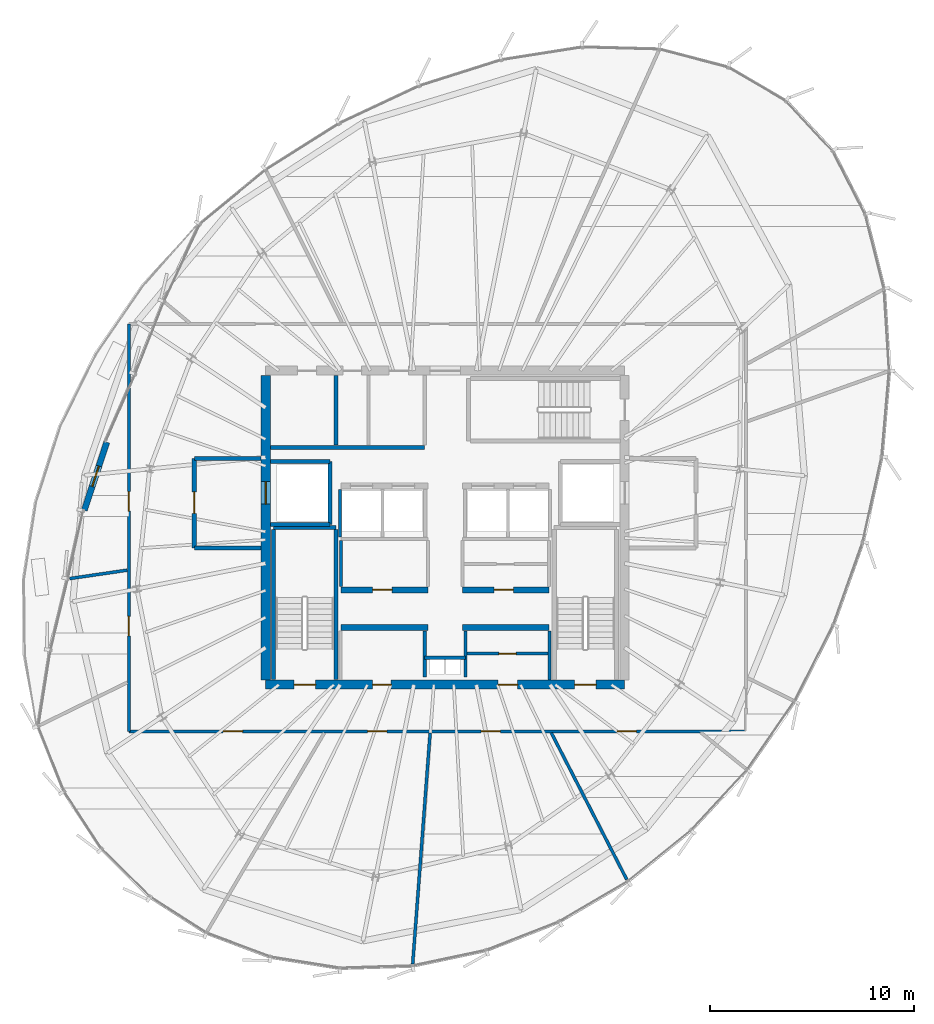
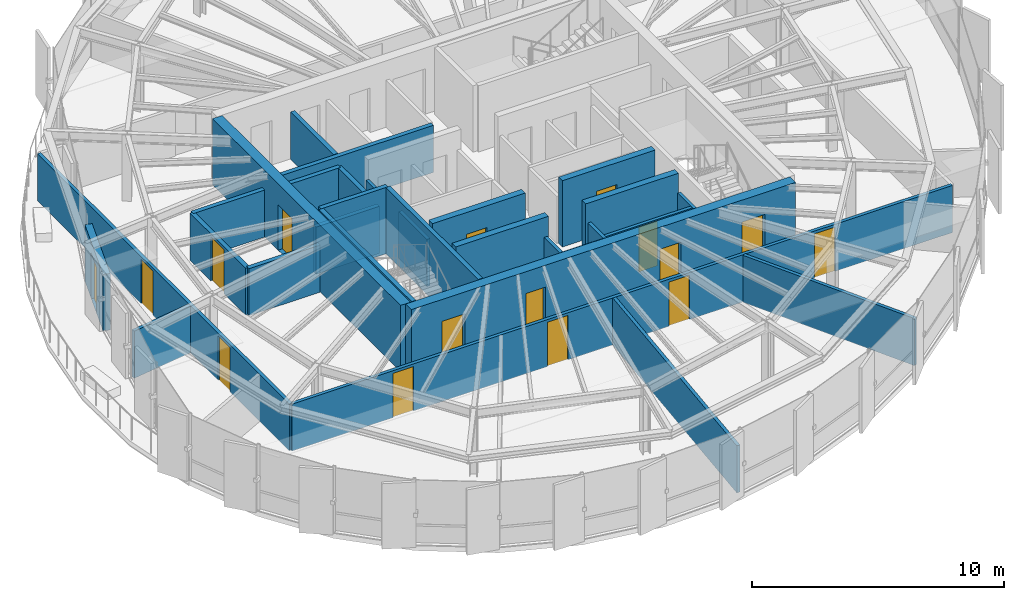
# One storey, part 29 of 36: 30 walls, 16 doors, 16 openings.
"""IFC4 building model written with IfcOpenShell, lengths in metres."""

import ifcopenshell
import ifcopenshell.guid

model = None  # the IFC model being written
_history = None  # IfcOwnerHistory: only IFC2X3 demands one
_inside = {}  # id of a spatial element -> (the spatial element, [elements in it])
_under = {}  # id of a project, library or spatial element -> (it, [spatial elements below it])
_declared = {}  # id of a project -> (the project, [libraries it declares])
_typed = {}  # id of a type object -> (the type object, [elements of that type])
_made_of = {}  # id of a material, layer set ... -> (it, [elements and type objects made of it])


def new_model(schema):
    """Start an empty IFC model of exactly this schema.

    Asked for "IFC4X3", IfcOpenShell would pick the latest addendum, in which some entities
    have other attributes; the version numbers below select the first issue.
    IFC2X3 requires an IfcOwnerHistory on every rooted entity: one is made here for all.
    """
    global model, _history
    if schema == "IFC4X3":
        model = ifcopenshell.file(schema_version=(4, 3, 0, 0))
    else:
        model = ifcopenshell.file(schema=schema)
    _inside.clear()
    _under.clear()
    _declared.clear()
    _typed.clear()
    _made_of.clear()
    _history = None
    if model.schema == "IFC2X3":
        org = make("IfcOrganization", Name="unknown")
        user = make(
            "IfcPersonAndOrganization",
            ThePerson=make("IfcPerson", FamilyName="unknown"),
            TheOrganization=org,
        )
        app = make(
            "IfcApplication",
            ApplicationDeveloper=org,
            Version="unknown",
            ApplicationFullName="unknown",
            ApplicationIdentifier="unknown",
        )
        _history = make(
            "IfcOwnerHistory",
            OwningUser=user,
            OwningApplication=app,
            ChangeAction="ADDED",
            CreationDate=0,
        )
    return model


def make(cls, **values):
    """One entity of the class cls with the attributes given. An attribute that is None is left unset."""
    return model.create_entity(
        cls, **{name: value for name, value in values.items() if value is not None}
    )


def rooted(cls, **values):
    """An entity with a GlobalId (a new one), such as an element, a storey or a relation."""
    return make(cls, GlobalId=ifcopenshell.guid.new(), OwnerHistory=_history, **values)


def si_unit(unit_type, name, prefix=None):
    """IfcSIUnit, for example si_unit("LENGTHUNIT", "METRE", prefix="MILLI")."""
    return make("IfcSIUnit", UnitType=unit_type, Prefix=prefix, Name=name)


def assignment(units):
    """IfcUnitAssignment: the units of a project."""
    return None if units is None else make("IfcUnitAssignment", Units=units)


def point(xyz):
    """IfcCartesianPoint."""
    return None if xyz is None else make("IfcCartesianPoint", Coordinates=xyz)


def direction(xyz):
    """IfcDirection."""
    return None if xyz is None else make("IfcDirection", DirectionRatios=xyz)


def frame(location, z_axis=None, x_axis=None):
    """IfcAxis2Placement3D, a coordinate frame: its origin and axes. An axis left out is left unset."""
    return make(
        "IfcAxis2Placement3D",
        Location=point(location),
        Axis=direction(z_axis),
        RefDirection=direction(x_axis),
    )


def frame_2d(location, x_axis=None):
    """IfcAxis2Placement2D, a coordinate frame in the plane: its origin and x axis."""
    return make(
        "IfcAxis2Placement2D", Location=point(location), RefDirection=direction(x_axis)
    )


def origin():
    """The frame at (0, 0, 0) with its axes left unset."""
    return frame((0.0, 0.0, 0.0))


def place(relative_to, where):
    """IfcLocalPlacement: puts the frame where relative to a parent placement (None: the world)."""
    return make(
        "IfcLocalPlacement", PlacementRelTo=relative_to, RelativePlacement=where
    )


def context(
    kind, dimensions, precision=None, world=None, true_north=None, identifier=None
):
    """IfcGeometricRepresentationContext, for example the 3D "Model" context."""
    return make(
        "IfcGeometricRepresentationContext",
        ContextIdentifier=identifier,
        ContextType=kind,
        CoordinateSpaceDimension=dimensions,
        Precision=precision,
        WorldCoordinateSystem=world,
        TrueNorth=true_north,
    )


def subcontext(parent, identifier, kind, view, scale=None):
    """IfcGeometricRepresentationSubContext, for example "Body" below "Model"."""
    return make(
        "IfcGeometricRepresentationSubContext",
        ContextIdentifier=identifier,
        ContextType=kind,
        ParentContext=parent,
        TargetScale=scale,
        TargetView=view,
    )


def project(units=None, contexts=None):
    """IfcProject with its units and contexts."""
    return rooted(
        "IfcProject",
        Name="project",
        RepresentationContexts=contexts,
        UnitsInContext=assignment(units),
    )


def spatial(cls, under=None, at=None, **own):
    """A site, building, storey or space (cls), placed at a placement, below another one or the project."""
    s = rooted(cls, ObjectPlacement=at, **own)
    if under is not None:
        _under.setdefault(under.id(), (under, []))[1].append(s)
    return s


def profile(cls, at=None, kind="AREA", **sizes):
    """A parametric profile (cls). Its sizes go by their IFC names, for example OverallWidth=200.0."""
    return make(cls, ProfileType=kind, Position=at, **sizes)


def rectangle(**sizes):
    """IfcRectangleProfileDef."""
    return profile("IfcRectangleProfileDef", **sizes)


def extrude(swept, where, along, depth):
    """IfcExtrudedAreaSolid: the profile swept, set in the frame where, extruded along a direction by depth."""
    return make(
        "IfcExtrudedAreaSolid",
        SweptArea=swept,
        Position=where,
        ExtrudedDirection=direction(along),
        Depth=depth,
    )


def shape(context_of_items, identifier, shape_type, items):
    """IfcShapeRepresentation: the items that make up one representation, for example the "Body"."""
    return make(
        "IfcShapeRepresentation",
        ContextOfItems=context_of_items,
        RepresentationIdentifier=identifier,
        RepresentationType=shape_type,
        Items=items,
    )


def source(mapping_origin, context_of_items, identifier, shape_type, items):
    """IfcRepresentationMap: a shape defined once, which mapped items show again and again."""
    return make(
        "IfcRepresentationMap",
        MappingOrigin=mapping_origin,
        MappedRepresentation=shape(context_of_items, identifier, shape_type, items),
    )


def transform(
    local_origin,
    x_axis=None,
    y_axis=None,
    z_axis=None,
    scale=None,
    scale2=None,
    scale3=None,
    uniform=True,
):
    """IfcCartesianTransformationOperator3D, or its non-uniform kind. x_axis, y_axis, z_axis: its Axis1, 2, 3."""
    if uniform:
        return make(
            "IfcCartesianTransformationOperator3D",
            Axis1=direction(x_axis),
            Axis2=direction(y_axis),
            LocalOrigin=point(local_origin),
            Scale=scale,
            Axis3=direction(z_axis),
        )
    return make(
        "IfcCartesianTransformationOperator3DnonUniform",
        Axis1=direction(x_axis),
        Axis2=direction(y_axis),
        LocalOrigin=point(local_origin),
        Scale=scale,
        Axis3=direction(z_axis),
        Scale2=scale2,
        Scale3=scale3,
    )


def mapped(mapping_source, mapping_target):
    """IfcMappedItem: shows the shape of a source again, moved by a transform."""
    return make(
        "IfcMappedItem", MappingSource=mapping_source, MappingTarget=mapping_target
    )


def material(Name=None, Category=None):
    """IfcMaterial."""
    return make("IfcMaterial", Name=Name, Category=Category)


def layer(
    of_material, thickness, ventilated=None, Name=None, Category=None, Priority=None
):
    """IfcMaterialLayer: one layer of a wall or slab, of a material (None: an air gap)."""
    return make(
        "IfcMaterialLayer",
        Material=of_material,
        LayerThickness=thickness,
        IsVentilated=ventilated,
        Name=Name,
        Category=Category,
        Priority=Priority,
    )


def layer_set(layers, Name=None):
    """IfcMaterialLayerSet."""
    return make("IfcMaterialLayerSet", MaterialLayers=layers, LayerSetName=Name)


def made_of(thing, what):
    """Note that an element or type object is made of a material, layer set ...; save() writes the relation."""
    if what is not None:
        _made_of.setdefault(what.id(), (what, []))[1].append(thing)
    return thing


def type_object(cls, material=None, **own):
    """A type object (cls), such as IfcWallType, which elements share."""
    return made_of(rooted(cls, **own), material)


def element(
    cls,
    number,
    at=None,
    inside=None,
    cuts=None,
    type_object=None,
    material=None,
    context=None,
    identifier="Body",
    shape_type=None,
    held_by="IfcProductDefinitionShape",
    body=None,
    shapes=None,
    **own,
):
    """One element of the class cls, such as IfcWall. Its Tag is "e" and its number.

    at: its placement. inside: the storey or other place that contains it. cuts: it is an
    opening in that element (IfcRelVoidsElement). A single representation is given by context,
    identifier, shape_type and body (its items); several are given by shapes. held_by: the class
    of the entity that holds the representations. save() writes the other relations.
    """
    e = rooted(cls, Tag="e%d" % number, ObjectPlacement=at, **own)
    if body is not None:
        shapes = [shape(context, identifier, shape_type, body)]
    if shapes is not None:
        e.Representation = make(held_by, Representations=shapes)
    if inside is not None:
        _inside.setdefault(inside.id(), (inside, []))[1].append(e)
    if cuts is not None:
        rooted(
            "IfcRelVoidsElement", RelatingBuildingElement=cuts, RelatedOpeningElement=e
        )
    if type_object is not None:
        _typed.setdefault(type_object.id(), (type_object, []))[1].append(e)
    return made_of(e, material)


def fill(opening, filler):
    """IfcRelFillsElement: the door or window that sits in an opening."""
    return rooted(
        "IfcRelFillsElement",
        RelatingOpeningElement=opening,
        RelatedBuildingElement=filler,
    )


def aggregate(whole, parts):
    """IfcRelAggregates: a whole, such as a stair, and the parts it consists of."""
    return rooted("IfcRelAggregates", RelatingObject=whole, RelatedObjects=parts)


def save(model, path):
    """Write the relations noted so far, then the file.

    IfcRelAggregates (storeys below a building ...), IfcRelContainedInSpatialStructure (elements
    in a storey), IfcRelDefinesByType, IfcRelAssociatesMaterial and IfcRelDeclares: one each for
    every whole, place, type object, material and project.
    """
    for whole, parts in _under.values():
        aggregate(whole, parts)
    for where, things in _inside.values():
        rooted(
            "IfcRelContainedInSpatialStructure",
            RelatedElements=things,
            RelatingStructure=where,
        )
    for kind, things in _typed.values():
        rooted("IfcRelDefinesByType", RelatedObjects=things, RelatingType=kind)
    for what, things in _made_of.values():
        rooted("IfcRelAssociatesMaterial", RelatedObjects=things, RelatingMaterial=what)
    for by, libraries in _declared.values():
        rooted("IfcRelDeclares", RelatingContext=by, RelatedDefinitions=libraries)
    model.write(path)


model = new_model("IFC4")

# Units and contexts
model_context = context("Model", 3, precision=1e-05, world=origin(), true_north=direction((0.0, 1.0)))
body_context = subcontext(model_context, "Body", "Model", "MODEL_VIEW")
ifc_project = project(units=[si_unit("LENGTHUNIT", "METRE"), si_unit("AREAUNIT", "SQUARE_METRE"), si_unit("VOLUMEUNIT", "CUBIC_METRE"), si_unit("PLANEANGLEUNIT", "RADIAN"), si_unit("MASSUNIT", "GRAM", prefix="KILO"), si_unit("THERMODYNAMICTEMPERATUREUNIT", "KELVIN")], contexts=[model_context])

# Site, building, storey
site_placement = place(None, origin())
site = spatial("IfcSite", under=ifc_project, at=site_placement, CompositionType="ELEMENT")
building_placement = place(site_placement, origin())
building = spatial("IfcBuilding", under=site, at=building_placement, Name="Kethvar Cultural Tower", CompositionType="ELEMENT")
storey_placement = place(building_placement, frame((0.0, 0.0, 242.199951171875)))
storey = spatial("IfcBuildingStorey", under=building, at=storey_placement, Name="L63", CompositionType="ELEMENT", Elevation=242.199951171875)

# Wall, openings, doors
ifc_material_1 = material(Name="Concrete C50/60", Category="concrete")
ifc_layer_1 = layer(ifc_material_1, 0.449951171875, Name="Concrete C50/60", Category="concrete")
ifc_layer_set_1 = layer_set([ifc_layer_1], Name="Concrete C50/60 (450 mm)")
wall_type_1 = type_object("IfcWallType", Name="WL-CORE-450", PredefinedType="SHEAR", material=ifc_layer_set_1)
wall_1_placement = place(storey_placement, frame((38.0, 20.10009765625, 0.0), z_axis=(0.0, 0.0, 1.0), x_axis=(1.0, 0.0, 0.0)))
wall_1 = element("IfcWall", 1, at=wall_1_placement, inside=storey, type_object=wall_type_1, Name="L63 Core Shear Wall S", PredefinedType="SHEAR", context=body_context, shape_type="SweptSolid", body=[
    extrude(rectangle(XDim=17.60009765625, YDim=0.449951171875, at=frame_2d((8.800048828125, 0.0))), origin(), (0.0, 0.0, 1.0), 3.2099609375),
])
opening_1_placement = place(wall_1_placement, frame((1.39990234375, 0.0, 0.0)))
opening_1 = element("IfcOpeningElement", 2, at=opening_1_placement, cuts=wall_1, Name="Opening D-L63-S1", PredefinedType="OPENING", context=body_context, shape_type="SweptSolid", body=[
    extrude(rectangle(XDim=1.050048828125, YDim=2.14990234375, at=frame_2d((0.52490234375, 1.074951171875))), frame((0.0, 0.23486328125, 0.0), z_axis=(0.0, -1.0, 0.0), x_axis=(1.0, 0.0, 0.0)), (0.0, 0.0, 1.0), 0.469970703125),
])
opening_2_placement = place(wall_1_placement, frame((15.14990234375, 0.0, 0.0)))
opening_2 = element("IfcOpeningElement", 3, at=opening_2_placement, cuts=wall_1, Name="Opening D-L63-ST2", PredefinedType="OPENING", context=body_context, shape_type="SweptSolid", body=[
    extrude(rectangle(XDim=1.050048828125, YDim=2.14990234375, at=frame_2d((0.52490234375, 1.074951171875))), frame((0.0, 0.23486328125, 0.0), z_axis=(0.0, -1.0, 0.0), x_axis=(1.0, 0.0, 0.0)), (0.0, 0.0, 1.0), 0.469970703125),
])
opening_3_placement = place(wall_1_placement, frame((5.25, 0.0, 0.0)))
opening_3 = element("IfcOpeningElement", 4, at=opening_3_placement, cuts=wall_1, Name="Opening D-L63-V1", PredefinedType="OPENING", context=body_context, shape_type="SweptSolid", body=[
    extrude(rectangle(XDim=0.89990234375, YDim=2.14990234375, at=frame_2d((0.449951171875, 1.074951171875))), frame((0.0, 0.23486328125, 0.0), z_axis=(0.0, -1.0, 0.0), x_axis=(1.0, 0.0, 0.0)), (0.0, 0.0, 1.0), 0.469970703125),
])
opening_4_placement = place(wall_1_placement, frame((11.39990234375, 0.0, 0.0)))
opening_4 = element("IfcOpeningElement", 5, at=opening_4_placement, cuts=wall_1, Name="Opening D-L63-V2", PredefinedType="OPENING", context=body_context, shape_type="SweptSolid", body=[
    extrude(rectangle(XDim=0.949951171875, YDim=2.14990234375, at=frame_2d((0.47509765625, 1.074951171875))), frame((0.0, 0.23486328125, 0.0), z_axis=(0.0, -1.0, 0.0), x_axis=(1.0, 0.0, 0.0)), (0.0, 0.0, 1.0), 0.469970703125),
])
ifc_material_2 = material(Name="Steel S355J2", Category="steel")
door_type_1 = type_object("IfcDoorType", Name="DR-FD60-1050", OperationType="NOTDEFINED", PredefinedType="DOOR", material=ifc_material_2)
shared_shape_1 = source(origin(), body_context, "Body", "SweptSolid", [
    extrude(rectangle(XDim=1.050048828125, YDim=2.14990234375, at=frame_2d((0.52490234375, 1.074951171875))), frame((0.0, 0.02490234375, 0.0), z_axis=(0.0, -1.0, 0.0), x_axis=(1.0, 0.0, 0.0)), (0.0, 0.0, 1.0), 0.050048828125),
])
door_1_placement = place(opening_1_placement, origin())
door_1 = element("IfcDoor", 6, at=door_1_placement, inside=storey, type_object=door_type_1, Name="L63 Exit Stair 1 Door", OperationType="SINGLE_SWING_LEFT", OverallHeight=2.14990234375, OverallWidth=1.050048828125, PredefinedType="DOOR", context=body_context, shape_type="MappedRepresentation", body=[
    mapped(shared_shape_1, transform((0.0, 0.0, 0.0), scale=1.0)),
])
fill(opening_1, door_1)
door_2_placement = place(opening_2_placement, origin())
door_2 = element("IfcDoor", 7, at=door_2_placement, inside=storey, type_object=door_type_1, Name="L63 Exit Stair 2 Door", OperationType="SINGLE_SWING_RIGHT", OverallHeight=2.14990234375, OverallWidth=1.050048828125, PredefinedType="DOOR", context=body_context, shape_type="MappedRepresentation", body=[
    mapped(shared_shape_1, transform((0.0, 0.0, 0.0), scale=1.0)),
])
fill(opening_2, door_2)
ifc_material_3 = material(Name="Architectural Oak Timber", Category="wood")
door_type_2 = type_object("IfcDoorType", Name="DR-FD30-950", OperationType="NOTDEFINED", PredefinedType="DOOR", material=ifc_material_3)
shared_shape_2 = source(origin(), body_context, "Body", "SweptSolid", [
    extrude(rectangle(XDim=0.949951171875, YDim=2.14990234375, at=frame_2d((0.47509765625, 1.074951171875))), frame((0.0, 0.02490234375, 0.0), z_axis=(0.0, -1.0, 0.0), x_axis=(1.0, 0.0, 0.0)), (0.0, 0.0, 1.0), 0.050048828125),
])
door_3_placement = place(opening_4_placement, origin())
door_3 = element("IfcDoor", 8, at=door_3_placement, inside=storey, type_object=door_type_2, Name="L63 Bindery Supply Door", OperationType="SINGLE_SWING_RIGHT", OverallHeight=2.14990234375, OverallWidth=0.949951171875, PredefinedType="DOOR", context=body_context, shape_type="MappedRepresentation", body=[
    mapped(shared_shape_2, transform((0.0, 0.0, 0.0), scale=1.0)),
])
fill(opening_4, door_3)
door_type_3 = type_object("IfcDoorType", Name="DR-FD30-900", OperationType="NOTDEFINED", PredefinedType="DOOR", material=ifc_material_3)
shared_shape_3 = source(origin(), body_context, "Body", "SweptSolid", [
    extrude(rectangle(XDim=0.89990234375, YDim=2.14990234375, at=frame_2d((0.449951171875, 1.074951171875))), frame((0.0, 0.02490234375, 0.0), z_axis=(0.0, -1.0, 0.0), x_axis=(1.0, 0.0, 0.0)), (0.0, 0.0, 1.0), 0.050048828125),
])
door_4_placement = place(opening_3_placement, origin())
door_4 = element("IfcDoor", 9, at=door_4_placement, inside=storey, type_object=door_type_3, Name="L63 Folio Vault Door", OperationType="SINGLE_SWING_LEFT", OverallHeight=2.14990234375, OverallWidth=0.89990234375, PredefinedType="DOOR", context=body_context, shape_type="MappedRepresentation", body=[
    mapped(shared_shape_3, transform((0.0, 0.0, 0.0), scale=1.0)),
])
fill(opening_3, door_4)

# Wall, opening, door
wall_2_placement = place(storey_placement, frame((38.0, 35.260009765625, 0.0), z_axis=(0.0, 0.0, 1.0), x_axis=(0.0, -1.0, 0.0)))
wall_2 = element("IfcWall", 10, at=wall_2_placement, inside=storey, type_object=wall_type_1, Name="L63 Core Shear Wall W", PredefinedType="SHEAR", context=body_context, shape_type="SweptSolid", body=[
    extrude(rectangle(XDim=14.919921875, YDim=0.449951171875, at=frame_2d((7.4599609375, 0.0))), origin(), (0.0, 0.0, 1.0), 3.2099609375),
])
opening_5_placement = place(wall_2_placement, frame((5.2099609375, 0.0, 0.0)))
opening_5 = element("IfcOpeningElement", 11, at=opening_5_placement, cuts=wall_2, Name="Opening LD-1", PredefinedType="OPENING", context=body_context, shape_type="SweptSolid", body=[
    extrude(rectangle(XDim=1.10009765625, YDim=2.199951171875, at=frame_2d((0.550048828125, 1.10009765625))), frame((0.0, 0.23486328125, 0.0), z_axis=(0.0, -1.0, 0.0), x_axis=(1.0, 0.0, 0.0)), (0.0, 0.0, 1.0), 0.469970703125),
])
door_type_4 = type_object("IfcDoorType", Name="DR-LIFT-SLIDE-1100", OperationType="NOTDEFINED", PredefinedType="DOOR", material=ifc_material_2)
shared_shape_4 = source(origin(), body_context, "Body", "SweptSolid", [
    extrude(rectangle(XDim=1.10009765625, YDim=2.199951171875, at=frame_2d((0.550048828125, 1.10009765625))), frame((0.0, 0.02490234375, 0.0), z_axis=(0.0, -1.0, 0.0), x_axis=(1.0, 0.0, 0.0)), (0.0, 0.0, 1.0), 0.050048828125),
])
door_5_placement = place(opening_5_placement, origin())
door_5 = element("IfcDoor", 12, at=door_5_placement, inside=storey, type_object=door_type_4, Name="L63 Firefighting Lift Landing Door FFL-01", OperationType="SLIDING_TO_LEFT", OverallHeight=2.199951171875, OverallWidth=1.10009765625, PredefinedType="DOOR", context=body_context, shape_type="MappedRepresentation", body=[
    mapped(shared_shape_4, transform((0.0, 0.0, 0.0), scale=1.0)),
])
fill(opening_5, door_5)

ifc_material_4 = material(Name="Concrete C40/50", Category="concrete")
ifc_layer_2 = layer(ifc_material_4, 0.300048828125, Name="Concrete C40/50", Category="concrete")
ifc_layer_set_2 = layer_set([ifc_layer_2], Name="Concrete C40/50 (300 mm)")
wall_type_2 = type_object("IfcWallType", Name="WL-EXT-TER-300", PredefinedType="SOLIDWALL", material=ifc_layer_set_2)
wall_3_placement = place(storey_placement, frame((29.106201171875, 28.6435546875, 0.0), z_axis=(0.0, 0.0, 1.0), x_axis=(0.313194566431, 0.94968898254, 0.0)))
wall_3 = element("IfcWall", 13, at=wall_3_placement, inside=storey, type_object=wall_type_2, Name="L63 Sky Terrace Access Wall", PredefinedType="SOLIDWALL", context=body_context, shape_type="SweptSolid", body=[
    extrude(rectangle(XDim=3.52734375, YDim=0.300048828125, at=frame_2d((1.763671875, 0.0))), origin(), (0.0, 0.0, 1.0), 2.735107421875),
])
opening_6_placement = place(wall_3_placement, frame((1.238525390625, 0.0, 0.0)))
opening_6 = element("IfcOpeningElement", 14, at=opening_6_placement, cuts=wall_3, Name="Opening D-L63-T1", PredefinedType="OPENING", context=body_context, shape_type="SweptSolid", body=[
    extrude(rectangle(XDim=1.050048828125, YDim=2.199951171875, at=frame_2d((0.52490234375, 1.10009765625))), frame((0.0, 0.159912109375, 0.0), z_axis=(0.0, -1.0, 0.0), x_axis=(1.0, 0.0, 0.0)), (0.0, 0.0, 1.0), 0.320068359375),
])
ifc_material_5 = material(Name="Aluminium 6063-T6", Category="aluminium")
door_type_5 = type_object("IfcDoorType", Name="DR-EXT-TER-1050", OperationType="NOTDEFINED", PredefinedType="DOOR", material=ifc_material_5)
shared_shape_5 = source(origin(), body_context, "Body", "SweptSolid", [
    extrude(rectangle(XDim=1.050048828125, YDim=2.199951171875, at=frame_2d((0.52490234375, 1.10009765625))), frame((0.0, 0.02490234375, 0.0), z_axis=(0.0, -1.0, 0.0), x_axis=(1.0, 0.0, 0.0)), (0.0, 0.0, 1.0), 0.050048828125),
])
door_6_placement = place(opening_6_placement, origin())
door_6 = element("IfcDoor", 15, at=door_6_placement, inside=storey, type_object=door_type_5, Name="L63 Sky Terrace Access Door D-L63-T1", OperationType="SINGLE_SWING_LEFT", OverallHeight=2.199951171875, OverallWidth=1.050048828125, PredefinedType="DOOR", context=body_context, shape_type="MappedRepresentation", body=[
    mapped(shared_shape_5, transform((0.0, 0.0, 0.0), scale=1.0)),
])
fill(opening_6, door_6)

# Walls
ifc_material_6 = material(Name="Gypsum Fireboard Partition")
ifc_layer_3 = layer(ifc_material_6, 0.14990234375, Name="Gypsum Fireboard Partition")
ifc_layer_set_3 = layer_set([ifc_layer_3], Name="Gypsum Fireboard Partition (150 mm)")
wall_type_3 = type_object("IfcWallType", Name="WL-FIRE-150", PredefinedType="PARTITIONING", material=ifc_layer_set_3)
wall_4_placement = place(storey_placement, frame((45.800048828125, 21.419921875, 0.0), z_axis=(0.0, 0.0, 1.0), x_axis=(1.0, 0.0, 0.0)))
element("IfcWall", 16, at=wall_4_placement, inside=storey, type_object=wall_type_3, Name="L63 Core Riser Wall", PredefinedType="PARTITIONING", context=body_context, shape_type="SweptSolid", body=[
    extrude(rectangle(XDim=2.0, YDim=0.14990234375, at=frame_2d((1.0, 0.0))), origin(), (0.0, 0.0, 1.0), 2.280029296875),
])
for number, where, z_axis, x_axis, name in (
    (17, (45.800048828125, 20.47998046875, 0.0), (0.0, 0.0, 1.0), (0.0, 1.0, 0.0), "L63 Core Riser West Wall"),
    (18, (47.800048828125, 20.47998046875, 0.0), (0.0, 0.0, 1.0), (0.0, 1.0, 0.0), "L63 Core Riser East Wall"),
):
    element("IfcWall", number, at=place(storey_placement, frame(where, z_axis=z_axis, x_axis=x_axis)), inside=storey, type_object=wall_type_3, Name=name, PredefinedType="PARTITIONING", context=body_context, shape_type="SweptSolid", body=[
        extrude(rectangle(XDim=2.239990234375, YDim=0.14990234375, at=frame_2d((1.1201171875, 0.0))), origin(), (0.0, 0.0, 1.0), 2.280029296875),
    ])
wall_5_placement = place(storey_placement, frame((51.919921875, 20.3349609375, 0.0), z_axis=(0.0, 0.0, 1.0), x_axis=(0.0, 1.0, 0.0)))
element("IfcWall", 19, at=wall_5_placement, inside=storey, type_object=wall_type_3, Name="L63 Reclaimed East Outer Wall", PredefinedType="PARTITIONING", context=body_context, shape_type="SweptSolid", body=[
    extrude(rectangle(XDim=2.39501953125, YDim=0.14990234375, at=frame_2d((1.197509765625, 0.0))), origin(), (0.0, 0.0, 1.0), 2.280029296875),
])

# Wall, opening, door
wall_6_placement = place(storey_placement, frame((47.8798828125, 21.6201171875, 0.0), z_axis=(0.0, 0.0, 1.0), x_axis=(1.0, 0.0, 0.0)))
wall_6 = element("IfcWall", 20, at=wall_6_placement, inside=storey, type_object=wall_type_3, Name="L63 Pantry Gallery Wall E", PredefinedType="PARTITIONING", context=body_context, shape_type="SweptSolid", body=[
    extrude(rectangle(XDim=3.960205078125, YDim=0.14990234375, at=frame_2d((1.97998046875, 0.0))), origin(), (0.0, 0.0, 1.0), 2.280029296875),
])
opening_7_placement = place(wall_6_placement, frame((1.550048828125, 0.0, 0.0)))
opening_7 = element("IfcOpeningElement", 21, at=opening_7_placement, cuts=wall_6, Name="Opening D-L63-V3", PredefinedType="OPENING", context=body_context, shape_type="SweptSolid", body=[
    extrude(rectangle(XDim=0.85009765625, YDim=2.14990234375, at=frame_2d((0.425048828125, 1.074951171875))), frame((0.0, 0.0849609375, 0.0), z_axis=(0.0, -1.0, 0.0), x_axis=(1.0, 0.0, 0.0)), (0.0, 0.0, 1.0), 0.169921875),
])
door_type_6 = type_object("IfcDoorType", Name="DR-FD30-850", OperationType="NOTDEFINED", PredefinedType="DOOR", material=ifc_material_2)
shared_shape_6 = source(origin(), body_context, "Body", "SweptSolid", [
    extrude(rectangle(XDim=0.85009765625, YDim=2.14990234375, at=frame_2d((0.425048828125, 1.074951171875))), frame((0.0, 0.02490234375, 0.0), z_axis=(0.0, -1.0, 0.0), x_axis=(1.0, 0.0, 0.0)), (0.0, 0.0, 1.0), 0.050048828125),
])
door_7_placement = place(opening_7_placement, origin())
door_7 = element("IfcDoor", 22, at=door_7_placement, inside=storey, type_object=door_type_6, Name="L63 Inner Pantry Gallery Door", OperationType="SINGLE_SWING_RIGHT", OverallHeight=2.14990234375, OverallWidth=0.85009765625, PredefinedType="DOOR", context=body_context, shape_type="MappedRepresentation", body=[
    mapped(shared_shape_6, transform((0.0, 0.0, 0.0), scale=1.0)),
])
fill(opening_7, door_7)

# Walls
wall_7_placement = place(storey_placement, frame((41.699951171875, 24.919921875, 0.0), z_axis=(0.0, 0.0, 1.0), x_axis=(0.0, 1.0, 0.0)))
element("IfcWall", 23, at=wall_7_placement, inside=storey, type_object=wall_type_3, Name="L63 Reclaimed Mid Outer W", PredefinedType="PARTITIONING", context=body_context, shape_type="SweptSolid", body=[
    extrude(rectangle(XDim=2.239990234375, YDim=0.14990234375, at=frame_2d((1.1201171875, 0.0))), origin(), (0.0, 0.0, 1.0), 2.280029296875),
])
wall_8_placement = place(storey_placement, frame((41.64990234375, 27.340087890625, 0.0), z_axis=(0.0, 0.0, 1.0), x_axis=(0.0, 1.0, 0.0)))
element("IfcWall", 24, at=wall_8_placement, inside=storey, type_object=wall_type_3, Name="L63 High-Rise Lift Shaft Outer Wall W", PredefinedType="PARTITIONING", context=body_context, shape_type="SweptSolid", body=[
    extrude(rectangle(XDim=2.33984375, YDim=0.14990234375, at=frame_2d((1.169921875, 0.0))), origin(), (0.0, 0.0, 1.0), 2.280029296875),
])

# Wall, openings, doors
wall_9_placement = place(storey_placement, frame((31.2900390625, 17.806884765625, 0.0), z_axis=(0.0, 0.0, 1.0), x_axis=(1.0, 0.0, 0.0)))
wall_9 = element("IfcWall", 25, at=wall_9_placement, inside=storey, type_object=wall_type_3, Name="L63 Corridor Rated Wall S", PredefinedType="PARTITIONING", context=body_context, shape_type="SweptSolid", body=[
    extrude(rectangle(XDim=30.27392578125, YDim=0.14990234375, at=frame_2d((15.136962890625, 0.0))), origin(), (0.0, 0.0, 1.0), 2.280029296875),
])
opening_8_placement = place(wall_9_placement, frame((4.629638671875, 0.0, 0.0)))
opening_8 = element("IfcOpeningElement", 26, at=opening_8_placement, cuts=wall_9, Name="Opening D-L63-02", PredefinedType="OPENING", context=body_context, shape_type="SweptSolid", body=[
    extrude(rectangle(XDim=0.949951171875, YDim=2.14990234375, at=frame_2d((0.47509765625, 1.074951171875))), frame((0.0, 0.0849609375, 0.0), z_axis=(0.0, -1.0, 0.0), x_axis=(1.0, 0.0, 0.0)), (0.0, 0.0, 1.0), 0.169921875),
])
opening_9_placement = place(wall_9_placement, frame((11.707275390625, 0.0, 0.0)))
opening_9 = element("IfcOpeningElement", 27, at=opening_9_placement, cuts=wall_9, Name="Opening D-L63-03", PredefinedType="OPENING", context=body_context, shape_type="SweptSolid", body=[
    extrude(rectangle(XDim=0.949951171875, YDim=2.14990234375, at=frame_2d((0.47509765625, 1.074951171875))), frame((0.0, 0.0849609375, 0.0), z_axis=(0.0, -1.0, 0.0), x_axis=(1.0, 0.0, 0.0)), (0.0, 0.0, 1.0), 0.169921875),
])
opening_10_placement = place(wall_9_placement, frame((17.272705078125, 0.0, 0.0)))
opening_10 = element("IfcOpeningElement", 28, at=opening_10_placement, cuts=wall_9, Name="Opening D-L63-04", PredefinedType="OPENING", context=body_context, shape_type="SweptSolid", body=[
    extrude(rectangle(XDim=0.949951171875, YDim=2.14990234375, at=frame_2d((0.47509765625, 1.074951171875))), frame((0.0, 0.0849609375, 0.0), z_axis=(0.0, -1.0, 0.0), x_axis=(1.0, 0.0, 0.0)), (0.0, 0.0, 1.0), 0.169921875),
])
opening_11_placement = place(wall_9_placement, frame((23.941162109375, 0.0, 0.0)))
opening_11 = element("IfcOpeningElement", 29, at=opening_11_placement, cuts=wall_9, Name="Opening D-L63-05", PredefinedType="OPENING", context=body_context, shape_type="SweptSolid", body=[
    extrude(rectangle(XDim=0.949951171875, YDim=2.14990234375, at=frame_2d((0.47509765625, 1.074951171875))), frame((0.0, 0.0849609375, 0.0), z_axis=(0.0, -1.0, 0.0), x_axis=(1.0, 0.0, 0.0)), (0.0, 0.0, 1.0), 0.169921875),
])
door_8_placement = place(opening_8_placement, origin())
door_8 = element("IfcDoor", 30, at=door_8_placement, inside=storey, type_object=door_type_2, Name="L63 Fellowship Seminar Room 02 Door", OperationType="SINGLE_SWING_LEFT", OverallHeight=2.14990234375, OverallWidth=0.949951171875, PredefinedType="DOOR", context=body_context, shape_type="MappedRepresentation", body=[
    mapped(shared_shape_2, transform((0.0, 0.0, 0.0), scale=1.0)),
])
fill(opening_8, door_8)
door_9_placement = place(opening_9_placement, origin())
door_9 = element("IfcDoor", 31, at=door_9_placement, inside=storey, type_object=door_type_2, Name="L63 Cultural Lecture Room 03 Door", OperationType="SINGLE_SWING_RIGHT", OverallHeight=2.14990234375, OverallWidth=0.949951171875, PredefinedType="DOOR", context=body_context, shape_type="MappedRepresentation", body=[
    mapped(shared_shape_2, transform((0.0, 0.0, 0.0), scale=1.0)),
])
fill(opening_9, door_9)
door_10_placement = place(opening_10_placement, origin())
door_10 = element("IfcDoor", 32, at=door_10_placement, inside=storey, type_object=door_type_2, Name="L63 Digital Media Workspace 04 Door", OperationType="SINGLE_SWING_LEFT", OverallHeight=2.14990234375, OverallWidth=0.949951171875, PredefinedType="DOOR", context=body_context, shape_type="MappedRepresentation", body=[
    mapped(shared_shape_2, transform((0.0, 0.0, 0.0), scale=1.0)),
])
fill(opening_10, door_10)
door_11_placement = place(opening_11_placement, origin())
door_11 = element("IfcDoor", 33, at=door_11_placement, inside=storey, type_object=door_type_2, Name="L63 Curatorial Administration Office 05 Door", OperationType="SINGLE_SWING_RIGHT", OverallHeight=2.14990234375, OverallWidth=0.949951171875, PredefinedType="DOOR", context=body_context, shape_type="MappedRepresentation", body=[
    mapped(shared_shape_2, transform((0.0, 0.0, 0.0), scale=1.0)),
])
fill(opening_11, door_11)

wall_10_placement = place(storey_placement, frame((31.2900390625, 37.79296875, 0.0), z_axis=(0.0, 0.0, 1.0), x_axis=(0.0, -1.0, 0.0)))
wall_10 = element("IfcWall", 34, at=wall_10_placement, inside=storey, type_object=wall_type_3, Name="L63 Corridor Rated Wall W", PredefinedType="PARTITIONING", context=body_context, shape_type="SweptSolid", body=[
    extrude(rectangle(XDim=19.986083984375, YDim=0.14990234375, at=frame_2d((9.9931640625, 0.0))), origin(), (0.0, 0.0, 1.0), 2.280029296875),
])
opening_12_placement = place(wall_10_placement, frame((14.348876953125, 0.0, 0.0)))
opening_12 = element("IfcOpeningElement", 35, at=opening_12_placement, cuts=wall_10, Name="Opening D-L63-01", PredefinedType="OPENING", context=body_context, shape_type="SweptSolid", body=[
    extrude(rectangle(XDim=0.949951171875, YDim=2.14990234375, at=frame_2d((0.47509765625, 1.074951171875))), frame((0.0, 0.0849609375, 0.0), z_axis=(0.0, -1.0, 0.0), x_axis=(1.0, 0.0, 0.0)), (0.0, 0.0, 1.0), 0.169921875),
])
opening_13_placement = place(wall_10_placement, frame((8.22802734375, 0.0, 0.0)))
opening_13 = element("IfcOpeningElement", 36, at=opening_13_placement, cuts=wall_10, Name="Opening D-L63-12", PredefinedType="OPENING", context=body_context, shape_type="SweptSolid", body=[
    extrude(rectangle(XDim=0.949951171875, YDim=2.14990234375, at=frame_2d((0.47509765625, 1.074951171875))), frame((0.0, 0.0849609375, 0.0), z_axis=(0.0, -1.0, 0.0), x_axis=(1.0, 0.0, 0.0)), (0.0, 0.0, 1.0), 0.169921875),
])
door_12_placement = place(opening_12_placement, origin())
door_12 = element("IfcDoor", 37, at=door_12_placement, inside=storey, type_object=door_type_2, Name="L63 Executive Boardroom 01 Door", OperationType="SINGLE_SWING_RIGHT", OverallHeight=2.14990234375, OverallWidth=0.949951171875, PredefinedType="DOOR", context=body_context, shape_type="MappedRepresentation", body=[
    mapped(shared_shape_2, transform((0.0, 0.0, 0.0), scale=1.0)),
])
fill(opening_12, door_12)
door_13_placement = place(opening_13_placement, origin())
door_13 = element("IfcDoor", 38, at=door_13_placement, inside=storey, type_object=door_type_2, Name="L63 Exhibition Print Shop 12 Door", OperationType="SINGLE_SWING_LEFT", OverallHeight=2.14990234375, OverallWidth=0.949951171875, PredefinedType="DOOR", context=body_context, shape_type="MappedRepresentation", body=[
    mapped(shared_shape_2, transform((0.0, 0.0, 0.0), scale=1.0)),
])
fill(opening_13, door_13)

# Walls
ifc_layer_4 = layer(ifc_material_4, 0.199951171875, Name="Concrete C40/50", Category="concrete")
ifc_layer_set_4 = layer_set([ifc_layer_4], Name="Concrete C40/50 (200 mm)")
wall_type_4 = type_object("IfcWallType", Name="WL-FIRE-200", PredefinedType="PARTITIONING", material=ifc_layer_set_4)
wall_11_placement = place(storey_placement, frame((41.14990234375, 27.949951171875, 0.0), z_axis=(0.0, 0.0, 1.0), x_axis=(0.0, 1.0, 0.0)))
element("IfcWall", 39, at=wall_11_placement, inside=storey, type_object=wall_type_4, Name="L63 FFL-01 Shaft Inner Wall", PredefinedType="PARTITIONING", context=body_context, shape_type="SweptSolid", body=[
    extrude(rectangle(XDim=3.10009765625, YDim=0.199951171875, at=frame_2d((1.550048828125, 0.0))), origin(), (0.0, 0.0, 1.0), 2.280029296875),
])
for number, where, z_axis, x_axis, name in (
    (40, (38.235107421875, 27.949951171875, 0.0), (0.0, 0.0, 1.0), (1.0, 0.0, 0.0), "L63 FFL-01 Shaft South Wall"),
    (41, (38.235107421875, 31.050048828125, 0.0), (0.0, 0.0, 1.0), (1.0, 0.0, 0.0), "L63 FFL-01 Shaft North Wall"),
):
    element("IfcWall", number, at=place(storey_placement, frame(where, z_axis=z_axis, x_axis=x_axis)), inside=storey, type_object=wall_type_4, Name=name, PredefinedType="PARTITIONING", context=body_context, shape_type="SweptSolid", body=[
        extrude(rectangle(XDim=2.914794921875, YDim=0.199951171875, at=frame_2d((1.45751953125, 0.0))), origin(), (0.0, 0.0, 1.0), 2.280029296875),
    ])

# Wall, opening, door
wall_12_placement = place(storey_placement, frame((34.5, 31.199951171875, 0.0), z_axis=(0.0, 0.0, 1.0), x_axis=(0.0, -1.0, 0.0)))
wall_12 = element("IfcWall", 42, at=wall_12_placement, inside=storey, type_object=wall_type_4, Name="L63 Firefighting Lobby 1 Wall", PredefinedType="PARTITIONING", context=body_context, shape_type="SweptSolid", body=[
    extrude(rectangle(XDim=4.39990234375, YDim=0.199951171875, at=frame_2d((2.199951171875, 0.0))), origin(), (0.0, 0.0, 1.0), 2.280029296875),
])
opening_14_placement = place(wall_12_placement, frame((1.64990234375, 0.0, 0.0)))
opening_14 = element("IfcOpeningElement", 43, at=opening_14_placement, cuts=wall_12, Name="Opening D-L63-F1", PredefinedType="OPENING", context=body_context, shape_type="SweptSolid", body=[
    extrude(rectangle(XDim=1.050048828125, YDim=2.14990234375, at=frame_2d((0.52490234375, 1.074951171875))), frame((0.0, 0.10986328125, 0.0), z_axis=(0.0, -1.0, 0.0), x_axis=(1.0, 0.0, 0.0)), (0.0, 0.0, 1.0), 0.219970703125),
])
door_14_placement = place(opening_14_placement, origin())
door_14 = element("IfcDoor", 44, at=door_14_placement, inside=storey, type_object=door_type_1, Name="L63 Firefighting Lobby 1 Fire Door", OperationType="SINGLE_SWING_LEFT", OverallHeight=2.14990234375, OverallWidth=1.050048828125, PredefinedType="DOOR", context=body_context, shape_type="MappedRepresentation", body=[
    mapped(shared_shape_1, transform((0.0, 0.0, 0.0), scale=1.0)),
])
fill(opening_14, door_14)

# Walls
for number, where, z_axis, x_axis, name in (
    (45, (34.5, 26.800048828125, 0.0), (0.0, 0.0, 1.0), (1.0, 0.0, 0.0), "L63 FF Lobby 1 South Wall"),
    (46, (34.5, 31.199951171875, 0.0), (0.0, 0.0, 1.0), (1.0, 0.0, 0.0), "L63 FF Lobby 1 North Wall"),
):
    element("IfcWall", number, at=place(storey_placement, frame(where, z_axis=z_axis, x_axis=x_axis)), inside=storey, type_object=wall_type_4, Name=name, PredefinedType="PARTITIONING", context=body_context, shape_type="SweptSolid", body=[
        extrude(rectangle(XDim=3.264892578125, YDim=0.199951171875, at=frame_2d((1.63232421875, 0.0))), origin(), (0.0, 0.0, 1.0), 2.280029296875),
    ])
wall_13_placement = place(storey_placement, frame((41.449951171875, 31.85009765625, 0.0), z_axis=(0.0, 0.0, 1.0), x_axis=(0.0, 1.0, 0.0)))
element("IfcWall", 47, at=wall_13_placement, inside=storey, type_object=wall_type_4, Name="L63 NW Core Pocket Wall", PredefinedType="PARTITIONING", context=body_context, shape_type="SweptSolid", body=[
    extrude(rectangle(XDim=3.414794921875, YDim=0.199951171875, at=frame_2d((1.70751953125, 0.0))), origin(), (0.0, 0.0, 1.0), 2.280029296875),
])
wall_14_placement = place(storey_placement, frame((38.235107421875, 31.72998046875, 0.0), z_axis=(0.0, 0.0, 1.0), x_axis=(1.0, 0.0, 0.0)))
element("IfcWall", 48, at=wall_14_placement, inside=storey, type_object=wall_type_4, Name="L63 North Core Sanitary South Wall", PredefinedType="PARTITIONING", context=body_context, shape_type="SweptSolid", body=[
    extrude(rectangle(XDim=7.56494140625, YDim=0.199951171875, at=frame_2d((3.782470703125, 0.0))), origin(), (0.0, 0.0, 1.0), 2.280029296875),
])
ifc_material_7 = material(Name="Gypsum Acoustic Partition")
ifc_layer_5 = layer(ifc_material_7, 0.14990234375, Name="Gypsum Acoustic Partition")
ifc_layer_set_5 = layer_set([ifc_layer_5], Name="Gypsum Acoustic Partition (150 mm)")
wall_type_5 = type_object("IfcWallType", Name="WL-PART-150", PredefinedType="PARTITIONING", material=ifc_layer_set_5)
wall_15_placement = place(storey_placement, frame((31.210693359375, 25.713623046875, 0.0), z_axis=(0.0, 0.0, 1.0), x_axis=(-0.989507997942, -0.144478102175, 0.0)))
element("IfcWall", 49, at=wall_15_placement, inside=storey, type_object=wall_type_5, Name="L63 Radial Partition Wall 01", PredefinedType="PARTITIONING", context=body_context, shape_type="SweptSolid", body=[
    extrude(rectangle(XDim=2.850830078125, YDim=0.14990234375, at=frame_2d((1.42529296875, 0.0))), origin(), (0.0, 0.0, 1.0), 2.280029296875),
])
wall_16_placement = place(storey_placement, frame((46.064208984375, 17.727294921875, 0.0), z_axis=(0.0, 0.0, 1.0), x_axis=(-0.075232652421, -0.99716600825, 0.0)))
element("IfcWall", 50, at=wall_16_placement, inside=storey, type_object=wall_type_5, Name="L63 Radial Partition Wall 04", PredefinedType="PARTITIONING", context=body_context, shape_type="SweptSolid", body=[
    extrude(rectangle(XDim=11.3515625, YDim=0.14990234375, at=frame_2d((5.67578125, 0.0))), origin(), (0.0, 0.0, 1.0), 2.280029296875),
])
wall_17_placement = place(storey_placement, frame((52.007568359375, 17.73583984375, 0.0), z_axis=(0.0, 0.0, 1.0), x_axis=(0.457414796782, -0.889253453007, 0.0)))
element("IfcWall", 51, at=wall_17_placement, inside=storey, type_object=wall_type_5, Name="L63 Radial Partition Wall 05", PredefinedType="PARTITIONING", context=body_context, shape_type="SweptSolid", body=[
    extrude(rectangle(XDim=8.0947265625, YDim=0.14990234375, at=frame_2d((4.04736328125, 0.0))), origin(), (0.0, 0.0, 1.0), 2.280029296875),
])
ifc_layer_6 = layer(ifc_material_1, 0.300048828125, Name="Concrete C50/60", Category="concrete")
ifc_layer_set_6 = layer_set([ifc_layer_6], Name="Concrete C50/60 (300 mm)")
wall_type_6 = type_object("IfcWallType", Name="WL-SHAFT-300", PredefinedType="SHEAR", material=ifc_layer_set_6)
for number, where, z_axis, x_axis, name in (
    (52, (41.699951171875, 22.89990234375, 0.0), (0.0, 0.0, 1.0), (1.0, 0.0, 0.0), "L63 Core Lift Spine Wall MID1W"),
    (53, (47.64990234375, 22.89990234375, 0.0), (0.0, 0.0, 1.0), (1.0, 0.0, 0.0), "L63 Core Lift Spine Wall MID1E"),
):
    element("IfcWall", number, at=place(storey_placement, frame(where, z_axis=z_axis, x_axis=x_axis)), inside=storey, type_object=wall_type_6, Name=name, PredefinedType="SHEAR", context=body_context, shape_type="SweptSolid", body=[
        extrude(rectangle(XDim=4.25, YDim=0.300048828125, at=frame_2d((2.125, 0.0))), origin(), (0.0, 0.0, 1.0), 3.2099609375),
    ])

# Wall, opening, door
wall_18_placement = place(storey_placement, frame((41.699951171875, 24.75, 0.0), z_axis=(0.0, 0.0, 1.0), x_axis=(1.0, 0.0, 0.0)))
wall_18 = element("IfcWall", 54, at=wall_18_placement, inside=storey, type_object=wall_type_6, Name="L63 Core Lift Spine Wall MID2W", PredefinedType="SHEAR", context=body_context, shape_type="SweptSolid", body=[
    extrude(rectangle(XDim=4.25, YDim=0.300048828125, at=frame_2d((2.125, 0.0))), origin(), (0.0, 0.0, 1.0), 3.2099609375),
])
opening_15_placement = place(wall_18_placement, frame((1.550048828125, 0.0, 0.0)))
opening_15 = element("IfcOpeningElement", 55, at=opening_15_placement, cuts=wall_18, Name="Opening D-L63-M1", PredefinedType="OPENING", context=body_context, shape_type="SweptSolid", body=[
    extrude(rectangle(XDim=0.949951171875, YDim=2.14990234375, at=frame_2d((0.47509765625, 1.074951171875))), frame((0.0, 0.159912109375, 0.0), z_axis=(0.0, -1.0, 0.0), x_axis=(1.0, 0.0, 0.0)), (0.0, 0.0, 1.0), 0.320068359375),
])
door_15_placement = place(opening_15_placement, origin())
door_15 = element("IfcDoor", 56, at=door_15_placement, inside=storey, type_object=door_type_2, Name="L63 Broadcast Rack Door", OperationType="SINGLE_SWING_LEFT", OverallHeight=2.14990234375, OverallWidth=0.949951171875, PredefinedType="DOOR", context=body_context, shape_type="MappedRepresentation", body=[
    mapped(shared_shape_2, transform((0.0, 0.0, 0.0), scale=1.0)),
])
fill(opening_15, door_15)

wall_19_placement = place(storey_placement, frame((47.64990234375, 24.75, 0.0), z_axis=(0.0, 0.0, 1.0), x_axis=(1.0, 0.0, 0.0)))
wall_19 = element("IfcWall", 57, at=wall_19_placement, inside=storey, type_object=wall_type_6, Name="L63 Core Lift Spine Wall MID2E", PredefinedType="SHEAR", context=body_context, shape_type="SweptSolid", body=[
    extrude(rectangle(XDim=4.25, YDim=0.300048828125, at=frame_2d((2.125, 0.0))), origin(), (0.0, 0.0, 1.0), 3.2099609375),
])
opening_16_placement = place(wall_19_placement, frame((1.550048828125, 0.0, 0.0)))
opening_16 = element("IfcOpeningElement", 58, at=opening_16_placement, cuts=wall_19, Name="Opening D-L63-M2", PredefinedType="OPENING", context=body_context, shape_type="SweptSolid", body=[
    extrude(rectangle(XDim=0.949951171875, YDim=2.14990234375, at=frame_2d((0.47509765625, 1.074951171875))), frame((0.0, 0.159912109375, 0.0), z_axis=(0.0, -1.0, 0.0), x_axis=(1.0, 0.0, 0.0)), (0.0, 0.0, 1.0), 0.320068359375),
])
door_16_placement = place(opening_16_placement, origin())
door_16 = element("IfcDoor", 59, at=door_16_placement, inside=storey, type_object=door_type_2, Name="L63 UPS Closet Door", OperationType="SINGLE_SWING_RIGHT", OverallHeight=2.14990234375, OverallWidth=0.949951171875, PredefinedType="DOOR", context=body_context, shape_type="MappedRepresentation", body=[
    mapped(shared_shape_2, transform((0.0, 0.0, 0.0), scale=1.0)),
])
fill(opening_16, door_16)

# Walls
ifc_layer_7 = layer(ifc_material_1, 0.199951171875, Name="Concrete C50/60", Category="concrete")
ifc_layer_set_7 = layer_set([ifc_layer_7], Name="Concrete C50/60 (200 mm)")
wall_type_7 = type_object("IfcWallType", Name="WL-STSHAFT-200", PredefinedType="SHEAR", material=ifc_layer_set_7)
wall_20_placement = place(storey_placement, frame((38.389892578125, 27.800048828125, 0.0), z_axis=(0.0, 0.0, 1.0), x_axis=(1.0, 0.0, 0.0)))
element("IfcWall", 60, at=wall_20_placement, inside=storey, type_object=wall_type_7, Name="L63 ST-01 Stair Shaft Wall FAR", PredefinedType="SHEAR", context=body_context, shape_type="SweptSolid", body=[
    extrude(rectangle(XDim=3.06005859375, YDim=0.199951171875, at=frame_2d((1.530029296875, 0.0))), origin(), (0.0, 0.0, 1.0), 3.2099609375),
])
for number, where, z_axis, x_axis, name in (
    (61, (41.449951171875, 27.699951171875, 0.0), (0.0, 0.0, 1.0), (0.0, -1.0, 0.0), "L63 ST-01 Stair Shaft Wall LEFT"),
    (62, (38.389892578125, 20.35009765625, 0.0), (0.0, 0.0, 1.0), (0.0, 1.0, 0.0), "L63 ST-01 Stair Shaft Wall RIGHT"),
):
    element("IfcWall", number, at=place(storey_placement, frame(where, z_axis=z_axis, x_axis=x_axis)), inside=storey, type_object=wall_type_7, Name=name, PredefinedType="SHEAR", context=body_context, shape_type="SweptSolid", body=[
        extrude(rectangle(XDim=7.349853515625, YDim=0.199951171875, at=frame_2d((3.6748046875, 0.0))), origin(), (0.0, 0.0, 1.0), 3.2099609375),
    ])

save(model, "model.ifc")
